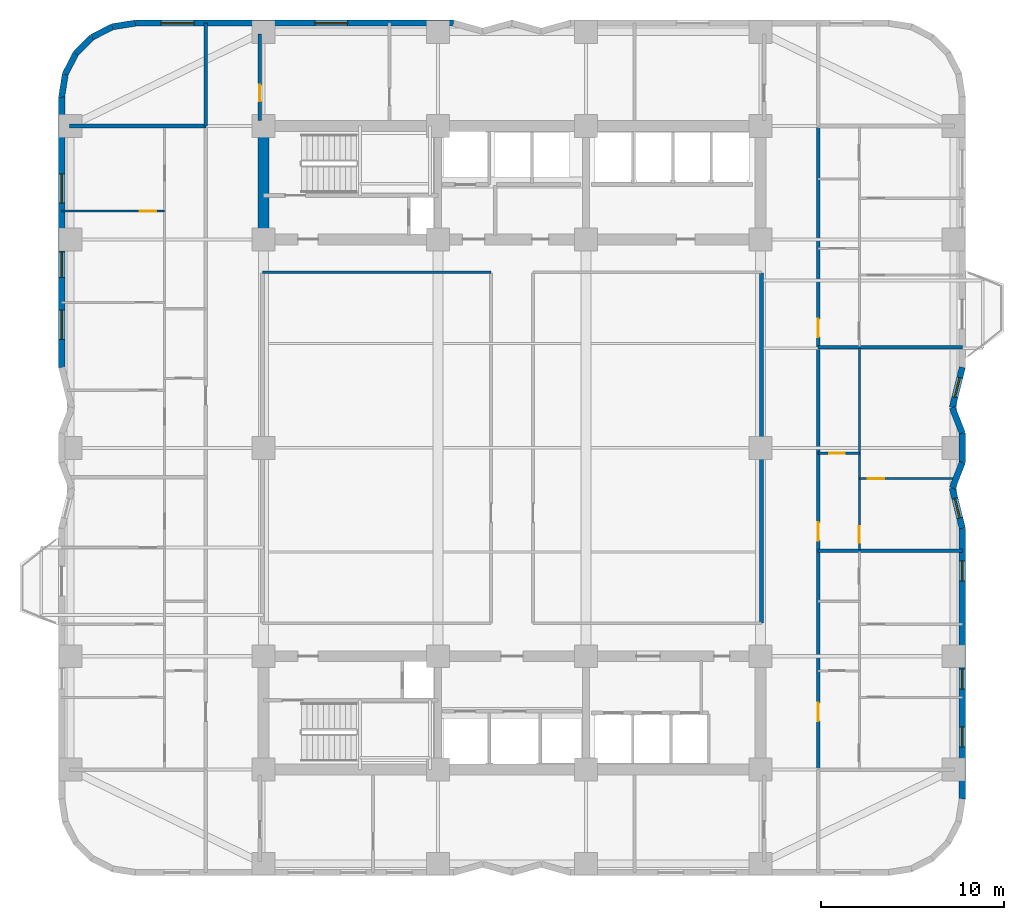
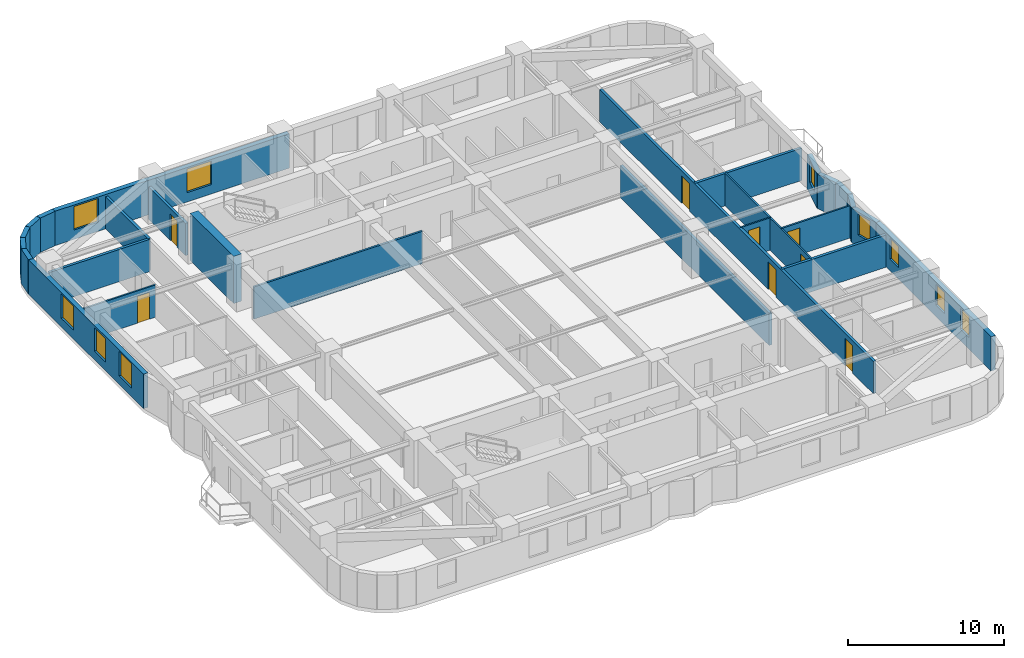
# One storey, part 5 of 9: 26 walls, 10 windows, 8 doors, 18 openings.
"""IFC4 building model written with IfcOpenShell, lengths in metres."""

import ifcopenshell
import ifcopenshell.guid

model = None  # the IFC model being written
_history = None  # IfcOwnerHistory: only IFC2X3 demands one
_inside = {}  # id of a spatial element -> (the spatial element, [elements in it])
_under = {}  # id of a project, library or spatial element -> (it, [spatial elements below it])
_declared = {}  # id of a project -> (the project, [libraries it declares])
_typed = {}  # id of a type object -> (the type object, [elements of that type])
_made_of = {}  # id of a material, layer set ... -> (it, [elements and type objects made of it])


def new_model(schema):
    """Start an empty IFC model of exactly this schema.

    Asked for "IFC4X3", IfcOpenShell would pick the latest addendum, in which some entities
    have other attributes; the version numbers below select the first issue.
    IFC2X3 requires an IfcOwnerHistory on every rooted entity: one is made here for all.
    """
    global model, _history
    if schema == "IFC4X3":
        model = ifcopenshell.file(schema_version=(4, 3, 0, 0))
    else:
        model = ifcopenshell.file(schema=schema)
    _inside.clear()
    _under.clear()
    _declared.clear()
    _typed.clear()
    _made_of.clear()
    _history = None
    if model.schema == "IFC2X3":
        org = make("IfcOrganization", Name="unknown")
        user = make(
            "IfcPersonAndOrganization",
            ThePerson=make("IfcPerson", FamilyName="unknown"),
            TheOrganization=org,
        )
        app = make(
            "IfcApplication",
            ApplicationDeveloper=org,
            Version="unknown",
            ApplicationFullName="unknown",
            ApplicationIdentifier="unknown",
        )
        _history = make(
            "IfcOwnerHistory",
            OwningUser=user,
            OwningApplication=app,
            ChangeAction="ADDED",
            CreationDate=0,
        )
    return model


def make(cls, **values):
    """One entity of the class cls with the attributes given. An attribute that is None is left unset."""
    return model.create_entity(
        cls, **{name: value for name, value in values.items() if value is not None}
    )


def rooted(cls, **values):
    """An entity with a GlobalId (a new one), such as an element, a storey or a relation."""
    return make(cls, GlobalId=ifcopenshell.guid.new(), OwnerHistory=_history, **values)


def si_unit(unit_type, name, prefix=None):
    """IfcSIUnit, for example si_unit("LENGTHUNIT", "METRE", prefix="MILLI")."""
    return make("IfcSIUnit", UnitType=unit_type, Prefix=prefix, Name=name)


def assignment(units):
    """IfcUnitAssignment: the units of a project."""
    return None if units is None else make("IfcUnitAssignment", Units=units)


def point(xyz):
    """IfcCartesianPoint."""
    return None if xyz is None else make("IfcCartesianPoint", Coordinates=xyz)


def direction(xyz):
    """IfcDirection."""
    return None if xyz is None else make("IfcDirection", DirectionRatios=xyz)


def frame(location, z_axis=None, x_axis=None):
    """IfcAxis2Placement3D, a coordinate frame: its origin and axes. An axis left out is left unset."""
    return make(
        "IfcAxis2Placement3D",
        Location=point(location),
        Axis=direction(z_axis),
        RefDirection=direction(x_axis),
    )


def frame_2d(location, x_axis=None):
    """IfcAxis2Placement2D, a coordinate frame in the plane: its origin and x axis."""
    return make(
        "IfcAxis2Placement2D", Location=point(location), RefDirection=direction(x_axis)
    )


def origin():
    """The frame at (0, 0, 0) with its axes left unset."""
    return frame((0.0, 0.0, 0.0))


def place(relative_to, where):
    """IfcLocalPlacement: puts the frame where relative to a parent placement (None: the world)."""
    return make(
        "IfcLocalPlacement", PlacementRelTo=relative_to, RelativePlacement=where
    )


def context(
    kind, dimensions, precision=None, world=None, true_north=None, identifier=None
):
    """IfcGeometricRepresentationContext, for example the 3D "Model" context."""
    return make(
        "IfcGeometricRepresentationContext",
        ContextIdentifier=identifier,
        ContextType=kind,
        CoordinateSpaceDimension=dimensions,
        Precision=precision,
        WorldCoordinateSystem=world,
        TrueNorth=true_north,
    )


def subcontext(parent, identifier, kind, view, scale=None):
    """IfcGeometricRepresentationSubContext, for example "Body" below "Model"."""
    return make(
        "IfcGeometricRepresentationSubContext",
        ContextIdentifier=identifier,
        ContextType=kind,
        ParentContext=parent,
        TargetScale=scale,
        TargetView=view,
    )


def project(units=None, contexts=None):
    """IfcProject with its units and contexts."""
    return rooted(
        "IfcProject",
        Name="project",
        RepresentationContexts=contexts,
        UnitsInContext=assignment(units),
    )


def spatial(cls, under=None, at=None, **own):
    """A site, building, storey or space (cls), placed at a placement, below another one or the project."""
    s = rooted(cls, ObjectPlacement=at, **own)
    if under is not None:
        _under.setdefault(under.id(), (under, []))[1].append(s)
    return s


def profile(cls, at=None, kind="AREA", **sizes):
    """A parametric profile (cls). Its sizes go by their IFC names, for example OverallWidth=200.0."""
    return make(cls, ProfileType=kind, Position=at, **sizes)


def rectangle(**sizes):
    """IfcRectangleProfileDef."""
    return profile("IfcRectangleProfileDef", **sizes)


def extrude(swept, where, along, depth):
    """IfcExtrudedAreaSolid: the profile swept, set in the frame where, extruded along a direction by depth."""
    return make(
        "IfcExtrudedAreaSolid",
        SweptArea=swept,
        Position=where,
        ExtrudedDirection=direction(along),
        Depth=depth,
    )


def shape(context_of_items, identifier, shape_type, items):
    """IfcShapeRepresentation: the items that make up one representation, for example the "Body"."""
    return make(
        "IfcShapeRepresentation",
        ContextOfItems=context_of_items,
        RepresentationIdentifier=identifier,
        RepresentationType=shape_type,
        Items=items,
    )


def material(Name=None, Category=None):
    """IfcMaterial."""
    return make("IfcMaterial", Name=Name, Category=Category)


def layer(
    of_material, thickness, ventilated=None, Name=None, Category=None, Priority=None
):
    """IfcMaterialLayer: one layer of a wall or slab, of a material (None: an air gap)."""
    return make(
        "IfcMaterialLayer",
        Material=of_material,
        LayerThickness=thickness,
        IsVentilated=ventilated,
        Name=Name,
        Category=Category,
        Priority=Priority,
    )


def layer_set(layers, Name=None):
    """IfcMaterialLayerSet."""
    return make("IfcMaterialLayerSet", MaterialLayers=layers, LayerSetName=Name)


def made_of(thing, what):
    """Note that an element or type object is made of a material, layer set ...; save() writes the relation."""
    if what is not None:
        _made_of.setdefault(what.id(), (what, []))[1].append(thing)
    return thing


def type_object(cls, material=None, **own):
    """A type object (cls), such as IfcWallType, which elements share."""
    return made_of(rooted(cls, **own), material)


def element(
    cls,
    number,
    at=None,
    inside=None,
    cuts=None,
    type_object=None,
    material=None,
    context=None,
    identifier="Body",
    shape_type=None,
    held_by="IfcProductDefinitionShape",
    body=None,
    shapes=None,
    **own,
):
    """One element of the class cls, such as IfcWall. Its Tag is "e" and its number.

    at: its placement. inside: the storey or other place that contains it. cuts: it is an
    opening in that element (IfcRelVoidsElement). A single representation is given by context,
    identifier, shape_type and body (its items); several are given by shapes. held_by: the class
    of the entity that holds the representations. save() writes the other relations.
    """
    e = rooted(cls, Tag="e%d" % number, ObjectPlacement=at, **own)
    if body is not None:
        shapes = [shape(context, identifier, shape_type, body)]
    if shapes is not None:
        e.Representation = make(held_by, Representations=shapes)
    if inside is not None:
        _inside.setdefault(inside.id(), (inside, []))[1].append(e)
    if cuts is not None:
        rooted(
            "IfcRelVoidsElement", RelatingBuildingElement=cuts, RelatedOpeningElement=e
        )
    if type_object is not None:
        _typed.setdefault(type_object.id(), (type_object, []))[1].append(e)
    return made_of(e, material)


def fill(opening, filler):
    """IfcRelFillsElement: the door or window that sits in an opening."""
    return rooted(
        "IfcRelFillsElement",
        RelatingOpeningElement=opening,
        RelatedBuildingElement=filler,
    )


def aggregate(whole, parts):
    """IfcRelAggregates: a whole, such as a stair, and the parts it consists of."""
    return rooted("IfcRelAggregates", RelatingObject=whole, RelatedObjects=parts)


def save(model, path):
    """Write the relations noted so far, then the file.

    IfcRelAggregates (storeys below a building ...), IfcRelContainedInSpatialStructure (elements
    in a storey), IfcRelDefinesByType, IfcRelAssociatesMaterial and IfcRelDeclares: one each for
    every whole, place, type object, material and project.
    """
    for whole, parts in _under.values():
        aggregate(whole, parts)
    for where, things in _inside.values():
        rooted(
            "IfcRelContainedInSpatialStructure",
            RelatedElements=things,
            RelatingStructure=where,
        )
    for kind, things in _typed.values():
        rooted("IfcRelDefinesByType", RelatedObjects=things, RelatingType=kind)
    for what, things in _made_of.values():
        rooted("IfcRelAssociatesMaterial", RelatedObjects=things, RelatingMaterial=what)
    for by, libraries in _declared.values():
        rooted("IfcRelDeclares", RelatingContext=by, RelatedDefinitions=libraries)
    model.write(path)


model = new_model("IFC4")

# Units and contexts
model_context = context("Model", 3, precision=1e-05, world=origin(), true_north=direction((0.0, 1.0)))
body_context = subcontext(model_context, "Body", "Model", "MODEL_VIEW")
ifc_project = project(units=[si_unit("LENGTHUNIT", "METRE"), si_unit("AREAUNIT", "SQUARE_METRE"), si_unit("VOLUMEUNIT", "CUBIC_METRE"), si_unit("PLANEANGLEUNIT", "RADIAN"), si_unit("MASSUNIT", "GRAM", prefix="KILO")], contexts=[model_context])

# Site, building, storey
site_placement = place(None, origin())
site = spatial("IfcSite", under=ifc_project, at=site_placement, CompositionType="ELEMENT")
building_placement = place(site_placement, origin())
building = spatial("IfcBuilding", under=site, at=building_placement, Name="Svetorya Sky Lyceum", CompositionType="ELEMENT")
storey_placement = place(building_placement, frame((0.0, 0.0, 32.5)))
storey = spatial("IfcBuildingStorey", under=building, at=storey_placement, Name="L07", CompositionType="ELEMENT", Elevation=32.5)

# Wall
ifc_material_1 = material(Name="Concrete C60/75", Category="concrete")
ifc_layer_1 = layer(ifc_material_1, 0.60009765625)
ifc_layer_set_1 = layer_set([ifc_layer_1], Name="Concrete C60/75")
wall_type_1 = type_object("IfcWallType", Name="WL-CORE-600", PredefinedType="SHEAR", material=ifc_layer_set_1)
wall_1_placement = place(storey_placement, frame((25.60009765625, 39.89990234375, 0.0), z_axis=(0.0, 0.0, 1.0), x_axis=(0.0, 1.0, 0.0)))
element("IfcWall", 1, at=wall_1_placement, inside=storey, type_object=wall_type_1, Name="L07 NC West Core Shear Wall", PredefinedType="SHEAR", context=body_context, shape_type="SweptSolid", body=[
    extrude(rectangle(XDim=5.60009765625, YDim=0.60009765625, at=frame_2d((2.800048828125, 0.0))), origin(), (0.0, 0.0, 1.0), 3.699951171875),
])

# Wall, openings, windows
ifc_material_2 = material(Name="Putilovo limestone rainscreen on autoclaved cellular masonry", Category="masonry")
ifc_layer_2 = layer(ifc_material_2, 0.340087890625)
ifc_layer_set_2 = layer_set([ifc_layer_2], Name="Putilovo limestone rainscreen on autoclaved cellular masonry")
wall_type_2 = type_object("IfcWallType", Name="WL-EXT-340", PredefinedType="SOLIDWALL", material=ifc_layer_set_2)
wall_2_placement = place(storey_placement, frame((63.830078125, 9.0, 0.0), z_axis=(0.0, 0.0, 1.0), x_axis=(0.0, 1.0, 0.0)))
wall_2 = element("IfcWall", 2, at=wall_2_placement, inside=storey, type_object=wall_type_2, Name="L07 Limestone Exterior Wall 17M", PredefinedType="SOLIDWALL", context=body_context, shape_type="SweptSolid", body=[
    extrude(rectangle(XDim=14.800048828125, YDim=0.340087890625, at=frame_2d((7.39990234375, 0.0))), origin(), (0.0, 0.0, 1.0), 2.699951171875),
])
opening_1_placement = place(wall_2_placement, frame((2.83740234375, 0.0, 0.929931640625)))
opening_1 = element("IfcOpeningElement", 3, at=opening_1_placement, cuts=wall_2, Name="Opening W-R3", PredefinedType="OPENING", context=body_context, shape_type="SweptSolid", body=[
    extrude(rectangle(XDim=1.10009765625, YDim=1.64990234375, at=frame_2d((0.550048828125, 0.824951171875))), frame((0.0, 0.179931640625, 0.0), z_axis=(0.0, -1.0, 0.0), x_axis=(1.0, 0.0, 0.0)), (0.0, 0.0, 1.0), 0.360107421875),
])
opening_2_placement = place(wall_2_placement, frame((6.0, 0.0, 0.889892578125)))
opening_2 = element("IfcOpeningElement", 4, at=opening_2_placement, cuts=wall_2, Name="Opening W-R3", PredefinedType="OPENING", context=body_context, shape_type="SweptSolid", body=[
    extrude(rectangle(XDim=1.10009765625, YDim=1.64990234375, at=frame_2d((0.550048828125, 0.824951171875))), frame((0.0, 0.179931640625, 0.0), z_axis=(0.0, -1.0, 0.0), x_axis=(1.0, 0.0, 0.0)), (0.0, 0.0, 1.0), 0.360107421875),
])
opening_3_placement = place(wall_2_placement, frame((11.91259765625, 0.0, 0.929931640625)))
opening_3 = element("IfcOpeningElement", 5, at=opening_3_placement, cuts=wall_2, Name="Opening W-R3", PredefinedType="OPENING", context=body_context, shape_type="SweptSolid", body=[
    extrude(rectangle(XDim=1.10009765625, YDim=1.64990234375, at=frame_2d((0.550048828125, 0.824951171875))), frame((0.0, 0.179931640625, 0.0), z_axis=(0.0, -1.0, 0.0), x_axis=(1.0, 0.0, 0.0)), (0.0, 0.0, 1.0), 0.360107421875),
])
ifc_material_3 = material(Name="Thermally broken aluminium frame with triple low-E glazing", Category="aluminium")
window_type_1 = type_object("IfcWindowType", Name="WN-RES-110", PartitioningType="SINGLE_PANEL", PredefinedType="WINDOW", material=ifc_material_3)
window_1_placement = place(opening_1_placement, origin())
window_1 = element("IfcWindow", 6, at=window_1_placement, inside=storey, type_object=window_type_1, Name="L07 Facade Window W-R3.17M.1", OverallHeight=1.64990234375, OverallWidth=1.10009765625, PartitioningType="SINGLE_PANEL", PredefinedType="WINDOW", context=body_context, shape_type="SweptSolid", body=[
    extrude(rectangle(XDim=1.10009765625, YDim=1.64990234375, at=frame_2d((0.550048828125, 0.824951171875))), frame((0.0, 0.030029296875, 0.0), z_axis=(0.0, -1.0, 0.0), x_axis=(1.0, 0.0, 0.0)), (0.0, 0.0, 1.0), 0.06005859375),
])
fill(opening_1, window_1)
window_2_placement = place(opening_2_placement, origin())
window_2 = element("IfcWindow", 7, at=window_2_placement, inside=storey, type_object=window_type_1, Name="L07 Facade Window W-R3.17M.3", OverallHeight=1.64990234375, OverallWidth=1.10009765625, PartitioningType="SINGLE_PANEL", PredefinedType="WINDOW", context=body_context, shape_type="SweptSolid", body=[
    extrude(rectangle(XDim=1.10009765625, YDim=1.64990234375, at=frame_2d((0.550048828125, 0.824951171875))), frame((0.0, 0.030029296875, 0.0), z_axis=(0.0, -1.0, 0.0), x_axis=(1.0, 0.0, 0.0)), (0.0, 0.0, 1.0), 0.06005859375),
])
fill(opening_2, window_2)
window_3_placement = place(opening_3_placement, origin())
window_3 = element("IfcWindow", 8, at=window_3_placement, inside=storey, type_object=window_type_1, Name="L07 Facade Window W-R3.17M.2", OverallHeight=1.64990234375, OverallWidth=1.10009765625, PartitioningType="SINGLE_PANEL", PredefinedType="WINDOW", context=body_context, shape_type="SweptSolid", body=[
    extrude(rectangle(XDim=1.10009765625, YDim=1.64990234375, at=frame_2d((0.550048828125, 0.824951171875))), frame((0.0, 0.030029296875, 0.0), z_axis=(0.0, -1.0, 0.0), x_axis=(1.0, 0.0, 0.0)), (0.0, 0.0, 1.0), 0.06005859375),
])
fill(opening_3, window_3)

# Wall, opening, window
wall_3_placement = place(storey_placement, frame((63.830078125, 23.800048828125, 0.0), z_axis=(0.0, 0.0, 1.0), x_axis=(-0.242560957029, 0.970136166796, 0.0)))
wall_3 = element("IfcWall", 9, at=wall_3_placement, inside=storey, type_object=wall_type_2, Name="L07 Limestone Exterior Wall 18M", PredefinedType="SOLIDWALL", context=body_context, shape_type="SweptSolid", body=[
    extrude(rectangle(XDim=2.267578125, YDim=0.340087890625, at=frame_2d((1.1337890625, 0.0))), origin(), (0.0, 0.0, 1.0), 2.699951171875),
])
opening_4_placement = place(wall_3_placement, frame((0.583984375, 0.0, 0.889892578125)))
opening_4 = element("IfcOpeningElement", 10, at=opening_4_placement, cuts=wall_3, Name="Opening W-R3", PredefinedType="OPENING", context=body_context, shape_type="SweptSolid", body=[
    extrude(rectangle(XDim=1.10009765625, YDim=1.64990234375, at=frame_2d((0.550048828125, 0.824951171875))), frame((0.0, 0.179931640625, 0.0), z_axis=(0.0, -1.0, 0.0), x_axis=(1.0, 0.0, 0.0)), (0.0, 0.0, 1.0), 0.360107421875),
])
window_4_placement = place(opening_4_placement, origin())
window_4 = element("IfcWindow", 11, at=window_4_placement, inside=storey, type_object=window_type_1, Name="L07 Facade Window W-R3.18M.1", OverallHeight=1.64990234375, OverallWidth=1.10009765625, PartitioningType="SINGLE_PANEL", PredefinedType="WINDOW", context=body_context, shape_type="SweptSolid", body=[
    extrude(rectangle(XDim=1.10009765625, YDim=1.64990234375, at=frame_2d((0.550048828125, 0.824951171875))), frame((0.0, 0.030029296875, 0.0), z_axis=(0.0, -1.0, 0.0), x_axis=(1.0, 0.0, 0.0)), (0.0, 0.0, 1.0), 0.06005859375),
])
fill(opening_4, window_4)

# Walls
wall_4_placement = place(storey_placement, frame((63.280029296875, 26.0, 0.0), z_axis=(0.0, 0.0, 1.0), x_axis=(0.365702591843, 0.930731762818, 0.0)))
element("IfcWall", 12, at=wall_4_placement, inside=storey, type_object=wall_type_2, Name="L07 Limestone Exterior Wall 19M", PredefinedType="SOLIDWALL", context=body_context, shape_type="SweptSolid", body=[
    extrude(rectangle(XDim=1.504150390625, YDim=0.340087890625, at=frame_2d((0.751953125, 0.0))), origin(), (0.0, 0.0, 1.0), 2.699951171875),
])
wall_5_placement = place(storey_placement, frame((63.830078125, 27.39990234375, 0.0), z_axis=(0.0, 0.0, 1.0), x_axis=(0.0, 1.0, 0.0)))
element("IfcWall", 13, at=wall_5_placement, inside=storey, type_object=wall_type_2, Name="L07 Limestone Exterior Wall 20M", PredefinedType="SOLIDWALL", context=body_context, shape_type="SweptSolid", body=[
    extrude(rectangle(XDim=1.60009765625, YDim=0.340087890625, at=frame_2d((0.800048828125, 0.0))), origin(), (0.0, 0.0, 1.0), 2.699951171875),
])
wall_6_placement = place(storey_placement, frame((63.830078125, 29.0, 0.0), z_axis=(0.0, 0.0, 1.0), x_axis=(-0.365702591843, 0.930731762818, 0.0)))
element("IfcWall", 14, at=wall_6_placement, inside=storey, type_object=wall_type_2, Name="L07 Limestone Exterior Wall 21M", PredefinedType="SOLIDWALL", context=body_context, shape_type="SweptSolid", body=[
    extrude(rectangle(XDim=1.504150390625, YDim=0.340087890625, at=frame_2d((0.751953125, 0.0))), origin(), (0.0, 0.0, 1.0), 2.699951171875),
])

# Wall, opening, window
wall_7_placement = place(storey_placement, frame((63.280029296875, 30.39990234375, 0.0), z_axis=(0.0, 0.0, 1.0), x_axis=(0.242535625036, 0.970142500145, 0.0)))
wall_7 = element("IfcWall", 15, at=wall_7_placement, inside=storey, type_object=wall_type_2, Name="L07 Limestone Exterior Wall 22M", PredefinedType="SOLIDWALL", context=body_context, shape_type="SweptSolid", body=[
    extrude(rectangle(XDim=2.267822265625, YDim=0.340087890625, at=frame_2d((1.1337890625, 0.0))), origin(), (0.0, 0.0, 1.0), 2.699951171875),
])
opening_5_placement = place(wall_7_placement, frame((0.583984375, 0.0, 0.889892578125)))
opening_5 = element("IfcOpeningElement", 16, at=opening_5_placement, cuts=wall_7, Name="Opening W-R3", PredefinedType="OPENING", context=body_context, shape_type="SweptSolid", body=[
    extrude(rectangle(XDim=1.10009765625, YDim=1.64990234375, at=frame_2d((0.550048828125, 0.824951171875))), frame((0.0, 0.179931640625, 0.0), z_axis=(0.0, -1.0, 0.0), x_axis=(1.0, 0.0, 0.0)), (0.0, 0.0, 1.0), 0.360107421875),
])
window_5_placement = place(opening_5_placement, origin())
window_5 = element("IfcWindow", 17, at=window_5_placement, inside=storey, type_object=window_type_1, Name="L07 Facade Window W-R3.22M.1", OverallHeight=1.64990234375, OverallWidth=1.10009765625, PartitioningType="SINGLE_PANEL", PredefinedType="WINDOW", context=body_context, shape_type="SweptSolid", body=[
    extrude(rectangle(XDim=1.10009765625, YDim=1.64990234375, at=frame_2d((0.550048828125, 0.824951171875))), frame((0.0, 0.030029296875, 0.0), z_axis=(0.0, -1.0, 0.0), x_axis=(1.0, 0.0, 0.0)), (0.0, 0.0, 1.0), 0.06005859375),
])
fill(opening_5, window_5)

# Wall, openings, windows
wall_8_placement = place(storey_placement, frame((36.0, 51.429931640625, 0.0), z_axis=(0.0, 0.0, 1.0), x_axis=(-1.0, 0.0, 0.0)))
wall_8 = element("IfcWall", 18, at=wall_8_placement, inside=storey, type_object=wall_type_2, Name="L07 Limestone Exterior Wall 34M", PredefinedType="SOLIDWALL", context=body_context, shape_type="SweptSolid", body=[
    extrude(rectangle(XDim=17.39990234375, YDim=0.340087890625, at=frame_2d((8.699951171875, 0.0))), origin(), (0.0, 0.0, 1.0), 2.699951171875),
])
opening_6_placement = place(wall_8_placement, frame((5.78759765625, 0.0, 0.72998046875)))
opening_6 = element("IfcOpeningElement", 19, at=opening_6_placement, cuts=wall_8, Name="Opening W-R1", PredefinedType="OPENING", context=body_context, shape_type="SweptSolid", body=[
    extrude(rectangle(XDim=1.800048828125, YDim=1.85009765625, at=frame_2d((0.89990234375, 0.925048828125))), frame((0.0, 0.179931640625, 0.0), z_axis=(0.0, -1.0, 0.0), x_axis=(1.0, 0.0, 0.0)), (0.0, 0.0, 1.0), 0.360107421875),
])
opening_7_placement = place(wall_8_placement, frame((14.1875, 0.0, 0.72998046875)))
opening_7 = element("IfcOpeningElement", 20, at=opening_7_placement, cuts=wall_8, Name="Opening W-R1", PredefinedType="OPENING", context=body_context, shape_type="SweptSolid", body=[
    extrude(rectangle(XDim=1.800048828125, YDim=1.85009765625, at=frame_2d((0.89990234375, 0.925048828125))), frame((0.0, 0.179931640625, 0.0), z_axis=(0.0, -1.0, 0.0), x_axis=(1.0, 0.0, 0.0)), (0.0, 0.0, 1.0), 0.360107421875),
])
window_type_2 = type_object("IfcWindowType", Name="WN-RES-180", PartitioningType="DOUBLE_PANEL_VERTICAL", PredefinedType="WINDOW", material=ifc_material_3)
window_6_placement = place(opening_6_placement, origin())
window_6 = element("IfcWindow", 21, at=window_6_placement, inside=storey, type_object=window_type_2, Name="L07 Facade Window W-R1.34M.1", OverallHeight=1.85009765625, OverallWidth=1.800048828125, PartitioningType="SINGLE_PANEL", PredefinedType="WINDOW", context=body_context, shape_type="SweptSolid", body=[
    extrude(rectangle(XDim=1.800048828125, YDim=1.85009765625, at=frame_2d((0.89990234375, 0.925048828125))), frame((0.0, 0.030029296875, 0.0), z_axis=(0.0, -1.0, 0.0), x_axis=(1.0, 0.0, 0.0)), (0.0, 0.0, 1.0), 0.06005859375),
])
fill(opening_6, window_6)
window_7_placement = place(opening_7_placement, origin())
window_7 = element("IfcWindow", 22, at=window_7_placement, inside=storey, type_object=window_type_2, Name="L07 Facade Window W-R1.34M.2", OverallHeight=1.85009765625, OverallWidth=1.800048828125, PartitioningType="SINGLE_PANEL", PredefinedType="WINDOW", context=body_context, shape_type="SweptSolid", body=[
    extrude(rectangle(XDim=1.800048828125, YDim=1.85009765625, at=frame_2d((0.89990234375, 0.925048828125))), frame((0.0, 0.030029296875, 0.0), z_axis=(0.0, -1.0, 0.0), x_axis=(1.0, 0.0, 0.0)), (0.0, 0.0, 1.0), 0.06005859375),
])
fill(opening_7, window_7)

# Walls
wall_9_placement = place(storey_placement, frame((18.60009765625, 51.429931640625, 0.0), z_axis=(0.0, 0.0, 1.0), x_axis=(-0.98771582066, -0.156260864002, 0.0)))
element("IfcWall", 23, at=wall_9_placement, inside=storey, type_object=wall_type_2, Name="L07 Limestone Exterior Wall 35M", PredefinedType="SOLIDWALL", context=body_context, shape_type="SweptSolid", body=[
    extrude(rectangle(XDim=1.2607421875, YDim=0.340087890625, at=frame_2d((0.63037109375, 0.0))), origin(), (0.0, 0.0, 1.0), 2.699951171875),
])
for number, where, z_axis, x_axis, name in (
    (24, (17.354736328125, 51.23291015625, 0.0), (0.0, 0.0, 1.0), (-0.890993689142, -0.454015689056, 0.0), "L07 Limestone Exterior Wall 36M"),
    (25, (16.231201171875, 50.660400390625, 0.0), (0.0, 0.0, 1.0), (-0.707106781187, -0.707106781187, 0.0), "L07 Limestone Exterior Wall 37M"),
    (26, (15.339599609375, 49.768798828125, 0.0), (0.0, 0.0, 1.0), (-0.454015689056, -0.890993689142, 0.0), "L07 Limestone Exterior Wall 38M"),
):
    element("IfcWall", number, at=place(storey_placement, frame(where, z_axis=z_axis, x_axis=x_axis)), inside=storey, type_object=wall_type_2, Name=name, PredefinedType="SOLIDWALL", context=body_context, shape_type="SweptSolid", body=[
        extrude(rectangle(XDim=1.260986328125, YDim=0.340087890625, at=frame_2d((0.63037109375, 0.0))), origin(), (0.0, 0.0, 1.0), 2.699951171875),
    ])
wall_10_placement = place(storey_placement, frame((14.76708984375, 48.645263671875, 0.0), z_axis=(0.0, 0.0, 1.0), x_axis=(-0.156260864002, -0.98771582066, 0.0)))
element("IfcWall", 27, at=wall_10_placement, inside=storey, type_object=wall_type_2, Name="L07 Limestone Exterior Wall 39M", PredefinedType="SOLIDWALL", context=body_context, shape_type="SweptSolid", body=[
    extrude(rectangle(XDim=1.2607421875, YDim=0.340087890625, at=frame_2d((0.63037109375, 0.0))), origin(), (0.0, 0.0, 1.0), 2.699951171875),
])

# Wall, openings, windows
wall_11_placement = place(storey_placement, frame((14.570068359375, 47.39990234375, 0.0), z_axis=(0.0, 0.0, 1.0), x_axis=(0.0, -1.0, 0.0)))
wall_11 = element("IfcWall", 28, at=wall_11_placement, inside=storey, type_object=wall_type_2, Name="L07 Limestone Exterior Wall 40M", PredefinedType="SOLIDWALL", context=body_context, shape_type="SweptSolid", body=[
    extrude(rectangle(XDim=14.7998046875, YDim=0.340087890625, at=frame_2d((7.39990234375, 0.0))), origin(), (0.0, 0.0, 1.0), 2.699951171875),
])
opening_8_placement = place(wall_11_placement, frame((4.21240234375, 0.0, 0.679931640625)))
opening_8 = element("IfcOpeningElement", 29, at=opening_8_placement, cuts=wall_11, Name="Opening W-R4", PredefinedType="OPENING", context=body_context, shape_type="SweptSolid", body=[
    extrude(rectangle(XDim=1.60009765625, YDim=1.89990234375, at=frame_2d((0.800048828125, 0.949951171875))), frame((0.0, 0.179931640625, 0.0), z_axis=(0.0, -1.0, 0.0), x_axis=(1.0, 0.0, 0.0)), (0.0, 0.0, 1.0), 0.360107421875),
])
opening_9_placement = place(wall_11_placement, frame((8.47998046875, 0.0, 0.68994140625)))
opening_9 = element("IfcOpeningElement", 30, at=opening_9_placement, cuts=wall_11, Name="Opening W-R2", PredefinedType="OPENING", context=body_context, shape_type="SweptSolid", body=[
    extrude(rectangle(XDim=1.39990234375, YDim=1.85009765625, at=frame_2d((0.699951171875, 0.925048828125))), frame((0.0, 0.179931640625, 0.0), z_axis=(0.0, -1.0, 0.0), x_axis=(1.0, 0.0, 0.0)), (0.0, 0.0, 1.0), 0.360107421875),
])
opening_10_placement = place(wall_11_placement, frame((11.66259765625, 0.0, 0.679931640625)))
opening_10 = element("IfcOpeningElement", 31, at=opening_10_placement, cuts=wall_11, Name="Opening W-R4", PredefinedType="OPENING", context=body_context, shape_type="SweptSolid", body=[
    extrude(rectangle(XDim=1.60009765625, YDim=1.89990234375, at=frame_2d((0.800048828125, 0.949951171875))), frame((0.0, 0.179931640625, 0.0), z_axis=(0.0, -1.0, 0.0), x_axis=(1.0, 0.0, 0.0)), (0.0, 0.0, 1.0), 0.360107421875),
])
window_type_3 = type_object("IfcWindowType", Name="WN-RES-140", PartitioningType="SINGLE_PANEL", PredefinedType="WINDOW", material=ifc_material_3)
window_8_placement = place(opening_9_placement, origin())
window_8 = element("IfcWindow", 32, at=window_8_placement, inside=storey, type_object=window_type_3, Name="L07 Facade Window W-R2.40M.3", OverallHeight=1.85009765625, OverallWidth=1.39990234375, PartitioningType="SINGLE_PANEL", PredefinedType="WINDOW", context=body_context, shape_type="SweptSolid", body=[
    extrude(rectangle(XDim=1.39990234375, YDim=1.85009765625, at=frame_2d((0.699951171875, 0.925048828125))), frame((0.0, 0.030029296875, 0.0), z_axis=(0.0, -1.0, 0.0), x_axis=(1.0, 0.0, 0.0)), (0.0, 0.0, 1.0), 0.06005859375),
])
fill(opening_9, window_8)
window_type_4 = type_object("IfcWindowType", Name="WN-RES-160", PartitioningType="DOUBLE_PANEL_VERTICAL", PredefinedType="WINDOW", material=ifc_material_3)
window_9_placement = place(opening_8_placement, origin())
window_9 = element("IfcWindow", 33, at=window_9_placement, inside=storey, type_object=window_type_4, Name="L07 Facade Window W-R4.40M.1", OverallHeight=1.89990234375, OverallWidth=1.60009765625, PartitioningType="SINGLE_PANEL", PredefinedType="WINDOW", context=body_context, shape_type="SweptSolid", body=[
    extrude(rectangle(XDim=1.60009765625, YDim=1.89990234375, at=frame_2d((0.800048828125, 0.949951171875))), frame((0.0, 0.030029296875, 0.0), z_axis=(0.0, -1.0, 0.0), x_axis=(1.0, 0.0, 0.0)), (0.0, 0.0, 1.0), 0.06005859375),
])
fill(opening_8, window_9)
window_10_placement = place(opening_10_placement, origin())
window_10 = element("IfcWindow", 34, at=window_10_placement, inside=storey, type_object=window_type_4, Name="L07 Facade Window W-R4.40M.2", OverallHeight=1.89990234375, OverallWidth=1.60009765625, PartitioningType="SINGLE_PANEL", PredefinedType="WINDOW", context=body_context, shape_type="SweptSolid", body=[
    extrude(rectangle(XDim=1.60009765625, YDim=1.89990234375, at=frame_2d((0.800048828125, 0.949951171875))), frame((0.0, 0.030029296875, 0.0), z_axis=(0.0, -1.0, 0.0), x_axis=(1.0, 0.0, 0.0)), (0.0, 0.0, 1.0), 0.06005859375),
])
fill(opening_10, window_10)

# Wall, opening, door
ifc_material_4 = material(Name="Twin-stud galvanized framing with double fireboard", Category="gypsum")
ifc_layer_3 = layer(ifc_material_4, 0.1201171875)
ifc_layer_set_3 = layer_set([ifc_layer_3], Name="Twin-stud galvanized framing with double fireboard")
wall_type_3 = type_object("IfcWallType", Name="WL-PART-120", PredefinedType="PARTITIONING", material=ifc_layer_set_3)
wall_12_placement = place(storey_placement, frame((14.570068359375, 41.14990234375, 0.0), z_axis=(0.0, 0.0, 1.0), x_axis=(1.0, 0.0, 0.0)))
wall_12 = element("IfcWall", 35, at=wall_12_placement, inside=storey, type_object=wall_type_3, Name="L07 Interior Partition W2-WL3", PredefinedType="PARTITIONING", context=body_context, shape_type="SweptSolid", body=[
    extrude(rectangle(XDim=5.6298828125, YDim=0.1201171875, at=frame_2d((2.81494140625, 0.0))), origin(), (0.0, 0.0, 1.0), 2.530029296875),
])
opening_11_placement = place(wall_12_placement, frame((4.280029296875, 0.0, 0.0)))
opening_11 = element("IfcOpeningElement", 36, at=opening_11_placement, cuts=wall_12, Name="Opening D-RM1", PredefinedType="OPENING", context=body_context, shape_type="SweptSolid", body=[
    extrude(rectangle(XDim=0.89990234375, YDim=2.10009765625, at=frame_2d((0.449951171875, 1.050048828125))), frame((0.0, 0.070068359375, 0.0), z_axis=(0.0, -1.0, 0.0), x_axis=(1.0, 0.0, 0.0)), (0.0, 0.0, 1.0), 0.14013671875),
])
ifc_material_5 = material(Name="Lacquered birch veneer internal door")
door_type_1 = type_object("IfcDoorType", Name="DR-INT-900", OperationType="SINGLE_SWING_LEFT", PredefinedType="DOOR", material=ifc_material_5)
door_1_placement = place(opening_11_placement, origin())
door_1 = element("IfcDoor", 37, at=door_1_placement, inside=storey, type_object=door_type_1, Name="Apartment W2 Bedroom 3 Door", OperationType="SINGLE_SWING_RIGHT", OverallHeight=2.10009765625, OverallWidth=0.89990234375, PredefinedType="DOOR", context=body_context, shape_type="SweptSolid", body=[
    extrude(rectangle(XDim=0.89990234375, YDim=2.10009765625, at=frame_2d((0.449951171875, 1.050048828125))), frame((0.0, 0.02490234375, 0.0), z_axis=(0.0, -1.0, 0.0), x_axis=(1.0, 0.0, 0.0)), (0.0, 0.0, 1.0), 0.050048828125),
])
fill(opening_11, door_1)

wall_13_placement = place(storey_placement, frame((55.949951171875, 27.907958984375, 0.0), z_axis=(0.0, 0.0, 1.0), x_axis=(1.0, 0.0, 0.0)))
wall_13 = element("IfcWall", 38, at=wall_13_placement, inside=storey, type_object=wall_type_3, Name="L07 Interior Partition E2-WH1", PredefinedType="PARTITIONING", context=body_context, shape_type="SweptSolid", body=[
    extrude(rectangle(XDim=2.25, YDim=0.1201171875, at=frame_2d((1.125, 0.0))), origin(), (0.0, 0.0, 1.0), 2.530029296875),
])
opening_12_placement = place(wall_13_placement, frame((0.60009765625, 0.0, 0.0)))
opening_12 = element("IfcOpeningElement", 39, at=opening_12_placement, cuts=wall_13, Name="Opening D-BT1", PredefinedType="OPENING", context=body_context, shape_type="SweptSolid", body=[
    extrude(rectangle(XDim=0.85009765625, YDim=2.10009765625, at=frame_2d((0.425048828125, 1.050048828125))), frame((0.0, 0.070068359375, 0.0), z_axis=(0.0, -1.0, 0.0), x_axis=(1.0, 0.0, 0.0)), (0.0, 0.0, 1.0), 0.14013671875),
])
ifc_material_6 = material(Name="Moisture-resistant laminate bathroom door")
door_type_2 = type_object("IfcDoorType", Name="DR-WET-850", OperationType="SINGLE_SWING_LEFT", PredefinedType="DOOR", material=ifc_material_6)
door_2_placement = place(opening_12_placement, origin())
door_2 = element("IfcDoor", 40, at=door_2_placement, inside=storey, type_object=door_type_2, Name="Apartment E2 Bathroom Door", OperationType="SINGLE_SWING_LEFT", OverallHeight=2.10009765625, OverallWidth=0.85009765625, PredefinedType="DOOR", context=body_context, shape_type="SweptSolid", body=[
    extrude(rectangle(XDim=0.85009765625, YDim=2.10009765625, at=frame_2d((0.425048828125, 1.050048828125))), frame((0.0, 0.02490234375, 0.0), z_axis=(0.0, -1.0, 0.0), x_axis=(1.0, 0.0, 0.0)), (0.0, 0.0, 1.0), 0.050048828125),
])
fill(opening_12, door_2)

wall_14_placement = place(storey_placement, frame((58.199951171875, 26.51806640625, 0.0), z_axis=(0.0, 0.0, 1.0), x_axis=(1.0, 0.0, 0.0)))
wall_14 = element("IfcWall", 41, at=wall_14_placement, inside=storey, type_object=wall_type_3, Name="L07 Interior Partition E2-WL1", PredefinedType="PARTITIONING", context=body_context, shape_type="SweptSolid", body=[
    extrude(rectangle(XDim=5.283447265625, YDim=0.1201171875, at=frame_2d((2.6416015625, 0.0))), origin(), (0.0, 0.0, 1.0), 2.530029296875),
])
opening_13_placement = place(wall_14_placement, frame((0.449951171875, 0.0, 0.0)))
opening_13 = element("IfcOpeningElement", 42, at=opening_13_placement, cuts=wall_14, Name="Opening D-RM1", PredefinedType="OPENING", context=body_context, shape_type="SweptSolid", body=[
    extrude(rectangle(XDim=0.89990234375, YDim=2.10009765625, at=frame_2d((0.449951171875, 1.050048828125))), frame((0.0, 0.070068359375, 0.0), z_axis=(0.0, -1.0, 0.0), x_axis=(1.0, 0.0, 0.0)), (0.0, 0.0, 1.0), 0.14013671875),
])
door_3_placement = place(opening_13_placement, origin())
door_3 = element("IfcDoor", 43, at=door_3_placement, inside=storey, type_object=door_type_1, Name="Apartment E2 Bedroom 1 Door", OperationType="SINGLE_SWING_LEFT", OverallHeight=2.10009765625, OverallWidth=0.89990234375, PredefinedType="DOOR", context=body_context, shape_type="SweptSolid", body=[
    extrude(rectangle(XDim=0.89990234375, YDim=2.10009765625, at=frame_2d((0.449951171875, 1.050048828125))), frame((0.0, 0.02490234375, 0.0), z_axis=(0.0, -1.0, 0.0), x_axis=(1.0, 0.0, 0.0)), (0.0, 0.0, 1.0), 0.050048828125),
])
fill(opening_13, door_3)

wall_15_placement = place(storey_placement, frame((58.199951171875, 22.60791015625, 0.0), z_axis=(0.0, 0.0, 1.0), x_axis=(0.0, 1.0, 0.0)))
wall_15 = element("IfcWall", 44, at=wall_15_placement, inside=storey, type_object=wall_type_3, Name="L07 Interior Partition E2-WV", PredefinedType="PARTITIONING", context=body_context, shape_type="SweptSolid", body=[
    extrude(rectangle(XDim=11.052001953125, YDim=0.1201171875, at=frame_2d((5.52587890625, 0.0))), origin(), (0.0, 0.0, 1.0), 2.530029296875),
])
opening_14_placement = place(wall_15_placement, frame((0.409912109375, 0.0, 0.0)))
opening_14 = element("IfcOpeningElement", 45, at=opening_14_placement, cuts=wall_15, Name="Opening D-RM1", PredefinedType="OPENING", context=body_context, shape_type="SweptSolid", body=[
    extrude(rectangle(XDim=0.89990234375, YDim=2.10009765625, at=frame_2d((0.449951171875, 1.050048828125))), frame((0.0, 0.070068359375, 0.0), z_axis=(0.0, -1.0, 0.0), x_axis=(1.0, 0.0, 0.0)), (0.0, 0.0, 1.0), 0.14013671875),
])
door_4_placement = place(opening_14_placement, origin())
door_4 = element("IfcDoor", 46, at=door_4_placement, inside=storey, type_object=door_type_1, Name="Apartment E2 Living Door", OperationType="SINGLE_SWING_RIGHT", OverallHeight=2.10009765625, OverallWidth=0.89990234375, PredefinedType="DOOR", context=body_context, shape_type="SweptSolid", body=[
    extrude(rectangle(XDim=0.89990234375, YDim=2.10009765625, at=frame_2d((0.449951171875, 1.050048828125))), frame((0.0, 0.02490234375, 0.0), z_axis=(0.0, -1.0, 0.0), x_axis=(1.0, 0.0, 0.0)), (0.0, 0.0, 1.0), 0.050048828125),
])
fill(opening_14, door_4)

# Walls
ifc_material_7 = material(Name="Autoclaved cellular masonry blockwork with acoustic render", Category="masonry")
ifc_layer_4 = layer(ifc_material_7, 0.14990234375)
ifc_layer_set_4 = layer_set([ifc_layer_4], Name="Autoclaved cellular masonry blockwork with acoustic render")
wall_type_4 = type_object("IfcWallType", Name="WL-PART-150", PredefinedType="PARTITIONING", material=ifc_layer_set_4)
wall_16_placement = place(storey_placement, frame((25.550048828125, 37.800048828125, 0.0), z_axis=(0.0, 0.0, 1.0), x_axis=(1.0, 0.0, 0.0)))
element("IfcWall", 47, at=wall_16_placement, inside=storey, type_object=wall_type_4, Name="L07 Interior Partition CN-MID-W", PredefinedType="PARTITIONING", context=body_context, shape_type="SweptSolid", body=[
    extrude(rectangle(XDim=12.5, YDim=0.14990234375, at=frame_2d((6.25, 0.0))), origin(), (0.0, 0.0, 1.0), 2.530029296875),
])
ifc_material_8 = material(Name="Autoclaved cellular masonry blockwork with gypsum plaster", Category="masonry")
ifc_layer_5 = layer(ifc_material_8, 0.199951171875)
ifc_layer_set_5 = layer_set([ifc_layer_5], Name="Autoclaved cellular masonry blockwork with gypsum plaster")
wall_type_5 = type_object("IfcWallType", Name="WL-PART-200", PredefinedType="PARTITIONING", material=ifc_layer_set_5)
wall_17_placement = place(storey_placement, frame((52.85009765625, 18.6298828125, 0.0), z_axis=(0.0, 0.0, 1.0), x_axis=(0.0, 1.0, 0.0)))
element("IfcWall", 48, at=wall_17_placement, inside=storey, type_object=wall_type_5, Name="L07 Interior Partition E-CEN-SEP", PredefinedType="PARTITIONING", context=body_context, shape_type="SweptSolid", body=[
    extrude(rectangle(XDim=19.14013671875, YDim=0.199951171875, at=frame_2d((9.570068359375, 0.0))), origin(), (0.0, 0.0, 1.0), 2.530029296875),
])
wall_18_placement = place(storey_placement, frame((14.989990234375, 45.800048828125, 0.0), z_axis=(0.0, 0.0, 1.0), x_axis=(1.0, 0.0, 0.0)))
element("IfcWall", 49, at=wall_18_placement, inside=storey, type_object=wall_type_5, Name="L07 Interior Partition W-CAP-N", PredefinedType="PARTITIONING", context=body_context, shape_type="SweptSolid", body=[
    extrude(rectangle(XDim=7.4599609375, YDim=0.199951171875, at=frame_2d((3.72998046875, 0.0))), origin(), (0.0, 0.0, 1.0), 2.530029296875),
])
for number, where, z_axis, x_axis, name in (
    (50, (55.949951171875, 22.568115234375, 0.0), (0.0, 0.0, 1.0), (1.0, 0.0, 0.0), "L07 Interior Partition E-PARTY-1"),
    (51, (55.949951171875, 33.699951171875, 0.0), (0.0, 0.0, 1.0), (1.0, 0.0, 0.0), "L07 Interior Partition E-PARTY-2"),
):
    element("IfcWall", number, at=place(storey_placement, frame(where, z_axis=z_axis, x_axis=x_axis)), inside=storey, type_object=wall_type_5, Name=name, PredefinedType="PARTITIONING", context=body_context, shape_type="SweptSolid", body=[
        extrude(rectangle(XDim=7.880126953125, YDim=0.199951171875, at=frame_2d((3.93994140625, 0.0))), origin(), (0.0, 0.0, 1.0), 2.530029296875),
    ])

# Wall, openings, doors
wall_19_placement = place(storey_placement, frame((55.949951171875, 10.60009765625, 0.0), z_axis=(0.0, 0.0, 1.0), x_axis=(0.0, 1.0, 0.0)))
wall_19 = element("IfcWall", 52, at=wall_19_placement, inside=storey, type_object=wall_type_5, Name="L07 Interior Partition E-CORRW", PredefinedType="PARTITIONING", context=body_context, shape_type="SweptSolid", body=[
    extrude(rectangle(XDim=35.199951171875, YDim=0.199951171875, at=frame_2d((17.60009765625, 0.0))), origin(), (0.0, 0.0, 1.0), 2.530029296875),
])
opening_15_placement = place(wall_19_placement, frame((2.64990234375, 0.0, 0.0)))
opening_15 = element("IfcOpeningElement", 53, at=opening_15_placement, cuts=wall_19, Name="Opening D-APT1", PredefinedType="OPENING", context=body_context, shape_type="SweptSolid", body=[
    extrude(rectangle(XDim=1.0, YDim=2.14990234375, at=frame_2d((0.5, 1.074951171875))), frame((0.0, 0.10986328125, 0.0), z_axis=(0.0, -1.0, 0.0), x_axis=(1.0, 0.0, 0.0)), (0.0, 0.0, 1.0), 0.219970703125),
])
opening_16_placement = place(wall_19_placement, frame((12.51806640625, 0.0, 0.0)))
opening_16 = element("IfcOpeningElement", 54, at=opening_16_placement, cuts=wall_19, Name="Opening D-APT1", PredefinedType="OPENING", context=body_context, shape_type="SweptSolid", body=[
    extrude(rectangle(XDim=1.0, YDim=2.14990234375, at=frame_2d((0.5, 1.074951171875))), frame((0.0, 0.10986328125, 0.0), z_axis=(0.0, -1.0, 0.0), x_axis=(1.0, 0.0, 0.0)), (0.0, 0.0, 1.0), 0.219970703125),
])
opening_17_placement = place(wall_19_placement, frame((23.64990234375, 0.0, 0.0)))
opening_17 = element("IfcOpeningElement", 55, at=opening_17_placement, cuts=wall_19, Name="Opening D-APT1", PredefinedType="OPENING", context=body_context, shape_type="SweptSolid", body=[
    extrude(rectangle(XDim=1.0, YDim=2.14990234375, at=frame_2d((0.5, 1.074951171875))), frame((0.0, 0.10986328125, 0.0), z_axis=(0.0, -1.0, 0.0), x_axis=(1.0, 0.0, 0.0)), (0.0, 0.0, 1.0), 0.219970703125),
])
ifc_material_9 = material(Name="Insulated oak-veneered apartment entrance door")
door_type_3 = type_object("IfcDoorType", Name="DR-APT-1000", OperationType="SINGLE_SWING_LEFT", PredefinedType="DOOR", material=ifc_material_9)
door_5_placement = place(opening_15_placement, origin())
door_5 = element("IfcDoor", 56, at=door_5_placement, inside=storey, type_object=door_type_3, Name="L07 Apartment E1 Entrance Door", OperationType="SINGLE_SWING_RIGHT", OverallHeight=2.14990234375, OverallWidth=1.0, PredefinedType="DOOR", context=body_context, shape_type="SweptSolid", body=[
    extrude(rectangle(XDim=1.0, YDim=2.14990234375, at=frame_2d((0.5, 1.074951171875))), frame((0.0, 0.02490234375, 0.0), z_axis=(0.0, -1.0, 0.0), x_axis=(1.0, 0.0, 0.0)), (0.0, 0.0, 1.0), 0.050048828125),
])
fill(opening_15, door_5)
door_6_placement = place(opening_16_placement, origin())
door_6 = element("IfcDoor", 57, at=door_6_placement, inside=storey, type_object=door_type_3, Name="L07 Apartment E2 Entrance Door", OperationType="SINGLE_SWING_LEFT", OverallHeight=2.14990234375, OverallWidth=1.0, PredefinedType="DOOR", context=body_context, shape_type="SweptSolid", body=[
    extrude(rectangle(XDim=1.0, YDim=2.14990234375, at=frame_2d((0.5, 1.074951171875))), frame((0.0, 0.02490234375, 0.0), z_axis=(0.0, -1.0, 0.0), x_axis=(1.0, 0.0, 0.0)), (0.0, 0.0, 1.0), 0.050048828125),
])
fill(opening_16, door_6)
door_7_placement = place(opening_17_placement, origin())
door_7 = element("IfcDoor", 58, at=door_7_placement, inside=storey, type_object=door_type_3, Name="L07 Apartment E3 Entrance Door", OperationType="SINGLE_SWING_RIGHT", OverallHeight=2.14990234375, OverallWidth=1.0, PredefinedType="DOOR", context=body_context, shape_type="SweptSolid", body=[
    extrude(rectangle(XDim=1.0, YDim=2.14990234375, at=frame_2d((0.5, 1.074951171875))), frame((0.0, 0.02490234375, 0.0), z_axis=(0.0, -1.0, 0.0), x_axis=(1.0, 0.0, 0.0)), (0.0, 0.0, 1.0), 0.050048828125),
])
fill(opening_17, door_7)

# Wall
wall_20_placement = place(storey_placement, frame((22.449951171875, 45.800048828125, 0.0), z_axis=(0.0, 0.0, 1.0), x_axis=(0.0, 1.0, 0.0)))
element("IfcWall", 59, at=wall_20_placement, inside=storey, type_object=wall_type_5, Name="L07 Interior Partition WC-NW-END", PredefinedType="PARTITIONING", context=body_context, shape_type="SweptSolid", body=[
    extrude(rectangle(XDim=5.6298828125, YDim=0.199951171875, at=frame_2d((2.81494140625, 0.0))), origin(), (0.0, 0.0, 1.0), 2.530029296875),
])

# Wall, opening, door
wall_21_placement = place(storey_placement, frame((25.39990234375, 46.10009765625, 0.0), z_axis=(0.0, 0.0, 1.0), x_axis=(0.0, 1.0, 0.0)))
wall_21 = element("IfcWall", 60, at=wall_21_placement, inside=storey, type_object=wall_type_5, Name="L07 Interior Partition N-EW", PredefinedType="PARTITIONING", context=body_context, shape_type="SweptSolid", body=[
    extrude(rectangle(XDim=4.72998046875, YDim=0.199951171875, at=frame_2d((2.364990234375, 0.0))), origin(), (0.0, 0.0, 1.0), 2.530029296875),
])
opening_18_placement = place(wall_21_placement, frame((1.050048828125, 0.0, 0.0)))
opening_18 = element("IfcOpeningElement", 61, at=opening_18_placement, cuts=wall_21, Name="Opening D-RM1", PredefinedType="OPENING", context=body_context, shape_type="SweptSolid", body=[
    extrude(rectangle(XDim=0.89990234375, YDim=2.10009765625, at=frame_2d((0.449951171875, 1.050048828125))), frame((0.0, 0.10986328125, 0.0), z_axis=(0.0, -1.0, 0.0), x_axis=(1.0, 0.0, 0.0)), (0.0, 0.0, 1.0), 0.219970703125),
])
door_8_placement = place(opening_18_placement, origin())
door_8 = element("IfcDoor", 62, at=door_8_placement, inside=storey, type_object=door_type_1, Name="L07 North Study Door", OperationType="SINGLE_SWING_RIGHT", OverallHeight=2.10009765625, OverallWidth=0.89990234375, PredefinedType="DOOR", context=body_context, shape_type="SweptSolid", body=[
    extrude(rectangle(XDim=0.89990234375, YDim=2.10009765625, at=frame_2d((0.449951171875, 1.050048828125))), frame((0.0, 0.02490234375, 0.0), z_axis=(0.0, -1.0, 0.0), x_axis=(1.0, 0.0, 0.0)), (0.0, 0.0, 1.0), 0.050048828125),
])
fill(opening_18, door_8)

save(model, "model.ifc")
